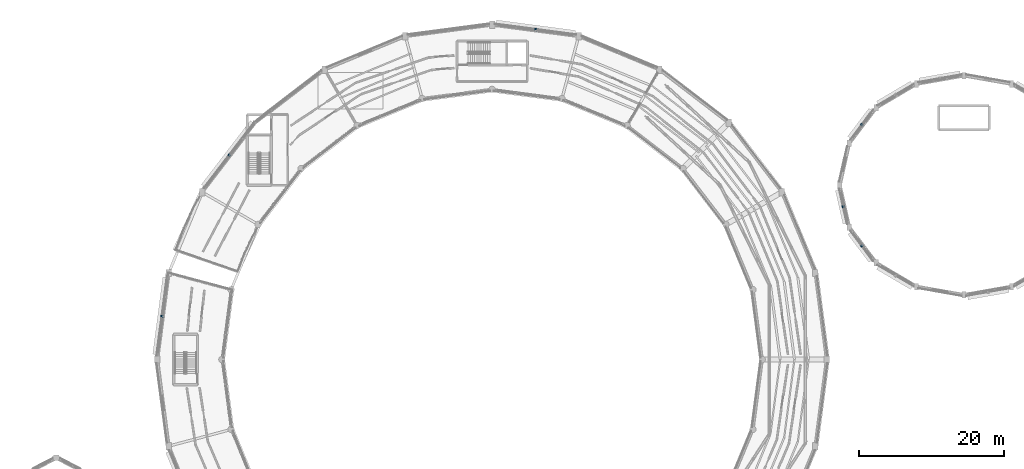
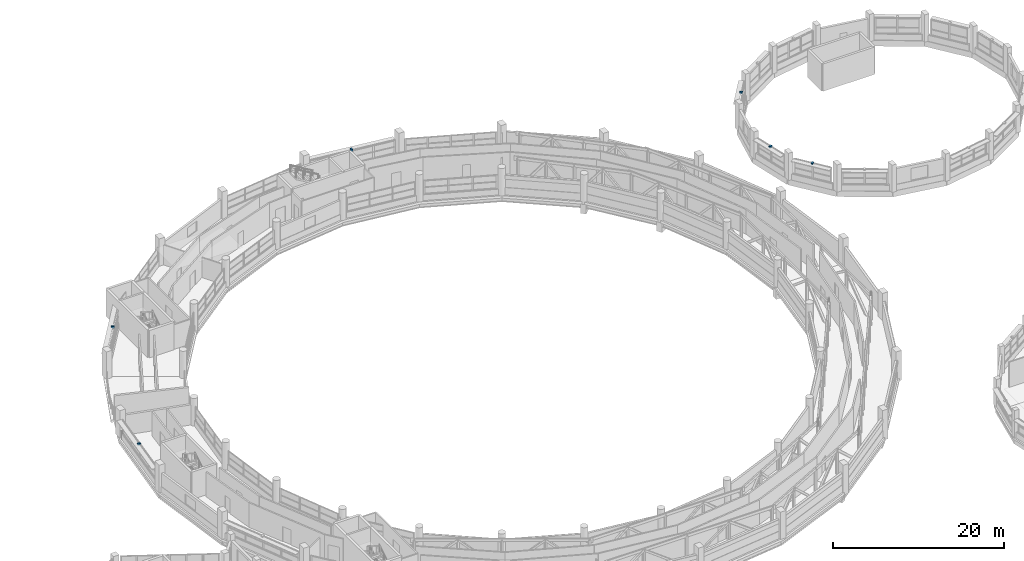
# One storey, part 111 of 121: 6 discrete accessories.
"""IFC4 building model written with IfcOpenShell, lengths in metres."""

from ifc_helpers import new_model, si_unit, direction, frame, origin, origin_2d, place, context, subcontext, project, spatial, rectangle, extrude, material, type_object, element, save


model = new_model("IFC4")

# Units and contexts
model_context = context("Model", 3, precision=1e-05, world=origin(), true_north=direction((0.0, 1.0)))
body_context = subcontext(model_context, "Body", "Model", "MODEL_VIEW")
ifc_project = project(units=[si_unit("LENGTHUNIT", "METRE"), si_unit("AREAUNIT", "SQUARE_METRE"), si_unit("VOLUMEUNIT", "CUBIC_METRE"), si_unit("PLANEANGLEUNIT", "RADIAN"), si_unit("MASSUNIT", "GRAM", prefix="KILO")], contexts=[model_context])

# Site, building, storey
site_placement = place(None, origin())
site = spatial("IfcSite", under=ifc_project, at=site_placement, CompositionType="ELEMENT")
building_placement = place(site_placement, origin())
building = spatial("IfcBuilding", under=site, at=building_placement, Name="Vespera Passage Community Centre", CompositionType="ELEMENT")
storey_placement = place(building_placement, frame((0.0, 0.0, 8.699951171875)))
storey = spatial("IfcBuildingStorey", under=building, at=storey_placement, Name="L02", CompositionType="ELEMENT", Elevation=8.699951171875)

# Discrete accessories
ifc_material = material(Name="Steel ASTM A572 Grade 50", Category="steel")
discrete_accessory_type = type_object("IfcDiscreteAccessoryType", Name="ACC-BRACKET", PredefinedType="BRACKET", material=ifc_material)
for number, where, z_axis, x_axis, name in (
    (1, (83.984130859375, 110.953369140625, 2.5654296875), (0.0, 0.0, 1.0), (0.991444861374, -0.13052619222, 0.0), "V4 L02 Outer Solar Eyebrow 5 Bracket"),
    (2, (41.80810546875, 93.6435546875, 2.5654296875), (0.0, 0.0, 1.0), (0.608761429009, 0.793353340291, 0.0), "V4 L02 Outer Solar Eyebrow 9 Bracket"),
    (3, (32.546630859375, 71.484130859375, 2.5654296875), (0.0, 0.0, 1.0), (0.130508888223, 0.991447139335, 0.0), "V4 L02 Outer Solar Eyebrow 11 Bracket"),
    (4, (128.927490234375, 97.824462890625, 2.93505859375), (0.0, 0.0, 1.0), (0.603402856255, 0.7974365135, 0.0), "V2 L02 Solar Eyebrow 7 Bracket"),
    (5, (126.394775390625, 86.57568359375, 2.93505859375), (0.0, 0.0, 1.0), (-0.219744045409, 0.975557560838, 0.0), "V2 L02 Solar Eyebrow 9 Bracket"),
    (6, (128.927490234375, 81.175537109375, 2.93505859375), (0.0, 0.0, 1.0), (-0.603402856255, 0.7974365135, 0.0), "V2 L02 Solar Eyebrow 10 Bracket"),
):
    element("IfcDiscreteAccessory", number, at=place(storey_placement, frame(where, z_axis=z_axis, x_axis=x_axis)), inside=storey, type_object=discrete_accessory_type, Name=name, PredefinedType="BRACKET", context=body_context, shape_type="SweptSolid", body=[
        extrude(rectangle(XDim=0.239990234375, YDim=0.3798828125, at=origin_2d()), origin(), (0.0, 0.0, 1.0), 0.239990234375),
    ])

save(model, "model.ifc")
